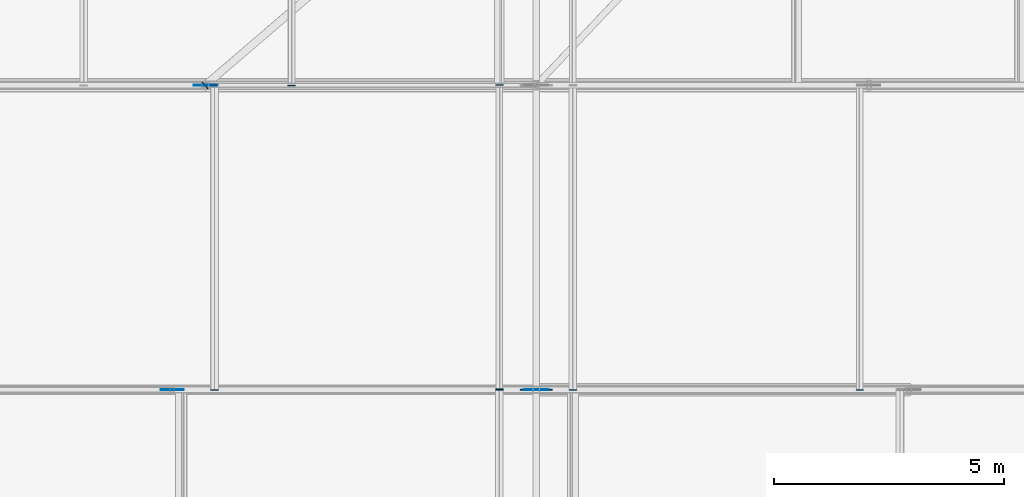
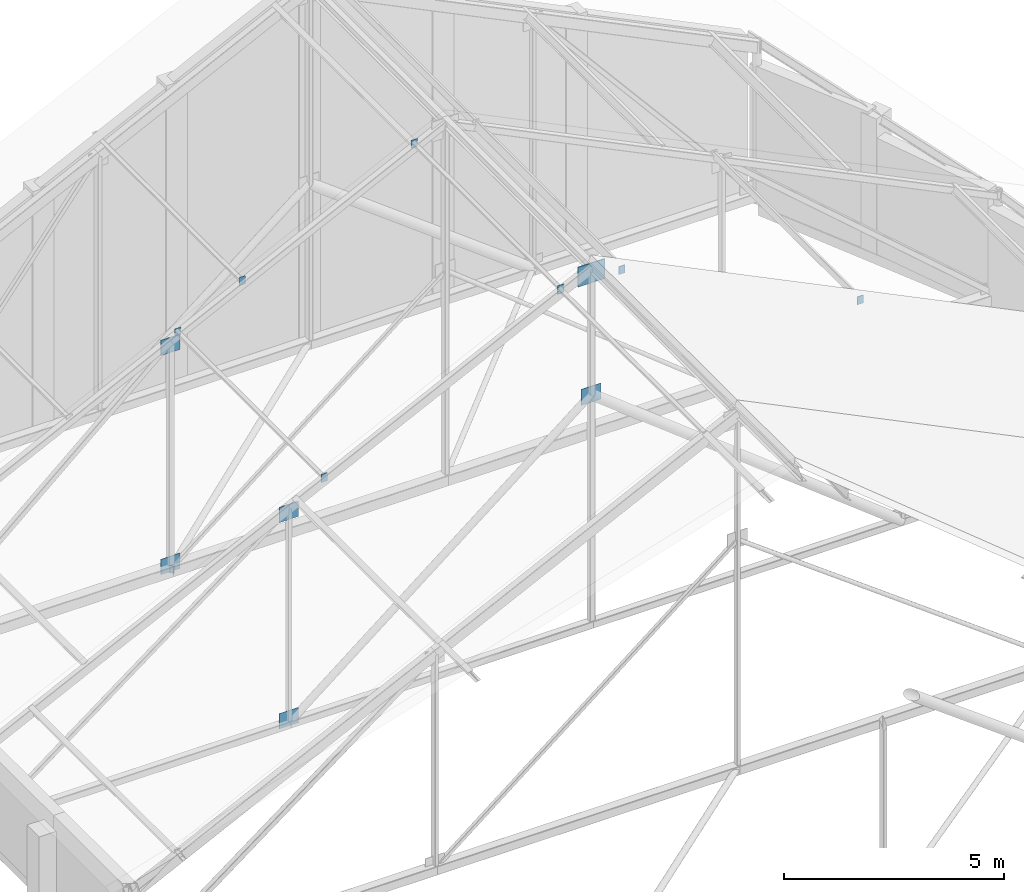
# One storey, part 56 of 78: 15 plates.
"""IFC4 building model written with IfcOpenShell, lengths in metres."""

from ifc_helpers import new_model, si_unit, direction, frame, origin, origin_2d, place, context, subcontext, project, spatial, rectangle, extrude, material, layer, layer_set, type_object, element, save


model = new_model("IFC4")

# Units and contexts
model_context = context("Model", 3, precision=1e-05, world=origin(), true_north=direction((0.0, 1.0)))
body_context = subcontext(model_context, "Body", "Model", "MODEL_VIEW")
ifc_project = project(units=[si_unit("LENGTHUNIT", "METRE"), si_unit("AREAUNIT", "SQUARE_METRE"), si_unit("VOLUMEUNIT", "CUBIC_METRE"), si_unit("PLANEANGLEUNIT", "RADIAN"), si_unit("MASSUNIT", "GRAM", prefix="KILO")], contexts=[model_context])

# Site, building, storey
site_placement = place(None, origin())
site = spatial("IfcSite", under=ifc_project, at=site_placement, CompositionType="ELEMENT")
building_placement = place(site_placement, origin())
building = spatial("IfcBuilding", under=site, at=building_placement, Name="Kelanivale Promenade Academy", CompositionType="ELEMENT")
storey_placement = place(building_placement, frame((0.0, 0.0, 16.199951171875)))
storey = spatial("IfcBuildingStorey", under=building, at=storey_placement, Name="L04", CompositionType="ELEMENT", Elevation=16.199951171875)

# Plates
ifc_material = material(Name="Steel S355", Category="steel")
ifc_layer_1 = layer(ifc_material, 0.01611328125)
ifc_layer_set_1 = layer_set([ifc_layer_1], Name="Steel S355")
plate_type_1 = type_object("IfcPlateType", Name="TN-CP16 Plate 16mm", PredefinedType="USERDEFINED", material=ifc_layer_set_1)
for number, where, z_axis, x_axis, name in (
    (1, (138.39990234375, 66.15087890625, 9.60498046875), (0.0, 0.0, 1.0), (0.0, 1.0, 0.0), "ROOF TRUSS TN-4 hollow-section end cap plate"),
    (2, (132.199951171875, 66.135009765625, 6.5771484375), (0.0, 0.0, 1.0), (0.0, -1.0, 0.0), "ROOF TRUSS TN-4 hollow-section end cap plate"),
    (3, (132.199951171875, 72.779052734375, 6.5771484375), (0.0, 0.0, 1.0), (0.0, 1.0, 0.0), "ROOF TRUSS TN-4 hollow-section end cap plate"),
    (4, (138.39990234375, 66.135009765625, 9.63330078125), (0.0, 0.0, 1.0), (0.0, -1.0, 0.0), "ROOF TRUSS TN-4 hollow-section end cap plate"),
    (5, (138.39990234375, 72.779052734375, 9.63330078125), (0.0, 0.0, 1.0), (0.0, 1.0, 0.0), "ROOF TRUSS TN-4 hollow-section end cap plate"),
    (6, (140.0, 66.135009765625, 9.60498046875), (0.0, 0.0, 1.0), (0.0, -1.0, 0.0), "ROOF TRUSS TN-4 hollow-section end cap plate"),
    (7, (146.2451171875, 66.135009765625, 6.5830078125), (0.0, 0.0, 1.0), (0.0, -1.0, 0.0), "ROOF TRUSS TN-4 hollow-section end cap plate"),
    (8, (133.875, 72.762939453125, 7.4228515625), (0.0, 0.0, 1.0), (0.0, -1.0, 0.0), "ROOF TRUSS TN-4 hollow-section end cap plate"),
):
    element("IfcPlate", number, at=place(storey_placement, frame(where, z_axis=z_axis, x_axis=x_axis)), inside=storey, type_object=plate_type_1, Name=name, ObjectType="CAP PLATE", PredefinedType="USERDEFINED", context=body_context, shape_type="SweptSolid", body=[
        extrude(rectangle(XDim=0.01611328125, YDim=0.159912109375, at=origin_2d()), origin(), (0.0, 0.0, 1.0), 0.219970703125),
    ])
plate_1_placement = place(storey_placement, frame((131.993896484375, 72.76611328125, 0.10009765625), z_axis=(0.0, 0.0, 1.0), x_axis=(-0.758816796231, -0.651304130002, 0.0)))
element("IfcPlate", 9, at=plate_1_placement, inside=storey, type_object=plate_type_1, Name="ROOF TRUSS TN-3 hollow-section end cap plate", ObjectType="CAP PLATE", PredefinedType="USERDEFINED", context=body_context, shape_type="SweptSolid", body=[
    extrude(rectangle(XDim=0.01611328125, YDim=0.199951171875, at=origin_2d()), origin(), (0.0, 0.0, 1.0), 0.199951171875),
])
ifc_layer_2 = layer(ifc_material, 0.01611328125)
ifc_layer_set_2 = layer_set([ifc_layer_2], Name="Steel S355")
plate_type_2 = type_object("IfcPlateType", Name="TN-GP16 Plate 16mm", PredefinedType="USERDEFINED", material=ifc_layer_set_2)
plate_2_placement = place(storey_placement, frame((139.199951171875, 66.14306640625, 6.320068359375), z_axis=(0.0, 0.0, 1.0), x_axis=(1.0, 0.0, 0.0)))
element("IfcPlate", 10, at=plate_2_placement, inside=storey, type_object=plate_type_2, Name="ROOF TRUSS TN-2D welded node gusset plate", ObjectType="GUSSET PLATE", PredefinedType="USERDEFINED", context=body_context, shape_type="SweptSolid", body=[
    extrude(rectangle(XDim=0.52001953125, YDim=0.01611328125, at=origin_2d()), origin(), (0.0, 0.0, 1.0), 0.43994140625),
])
for number, where, z_axis, x_axis, name in (
    (11, (131.27490234375, 66.14306640625, 0.130126953125), (0.0, 0.0, 1.0), (1.0, 0.0, 0.0), "ROOF TRUSS TN-3 welded node gusset plate"),
    (12, (131.27490234375, 66.14306640625, 5.842041015625), (0.0, 0.0, 1.0), (1.0, 0.0, 0.0), "ROOF TRUSS TN-4 welded node gusset plate"),
    (13, (132.0, 72.77099609375, 0.130126953125), (0.0, 0.0, 1.0), (1.0, 0.0, 0.0), "ROOF TRUSS TN-3 welded node gusset plate"),
    (14, (132.0, 72.77099609375, 6.196044921875), (0.0, 0.0, 1.0), (1.0, 0.0, 0.0), "ROOF TRUSS TN-4 welded node gusset plate"),
):
    element("IfcPlate", number, at=place(storey_placement, frame(where, z_axis=z_axis, x_axis=x_axis)), inside=storey, type_object=plate_type_2, Name=name, ObjectType="GUSSET PLATE", PredefinedType="USERDEFINED", context=body_context, shape_type="SweptSolid", body=[
        extrude(rectangle(XDim=0.5, YDim=0.01611328125, at=origin_2d()), origin(), (0.0, 0.0, 1.0), 0.419921875),
    ])
ifc_layer_3 = layer(ifc_material, 0.02490234375)
ifc_layer_set_3 = layer_set([ifc_layer_3], Name="Steel S355")
plate_type_3 = type_object("IfcPlateType", Name="TN-GP25 Plate 25mm", PredefinedType="USERDEFINED", material=ifc_layer_set_3)
plate_3_placement = place(storey_placement, frame((139.199951171875, 66.14306640625, 9.626953125), z_axis=(0.0, 0.0, 1.0), x_axis=(1.0, 0.0, 0.0)))
element("IfcPlate", 15, at=plate_3_placement, inside=storey, type_object=plate_type_3, Name="ROOF TRUSS TN-2 welded node gusset plate", ObjectType="GUSSET PLATE", PredefinedType="USERDEFINED", context=body_context, shape_type="SweptSolid", body=[
    extrude(rectangle(XDim=0.699951171875, YDim=0.02490234375, at=origin_2d()), origin(), (0.0, 0.0, 1.0), 0.550048828125),
])

save(model, "model.ifc")
